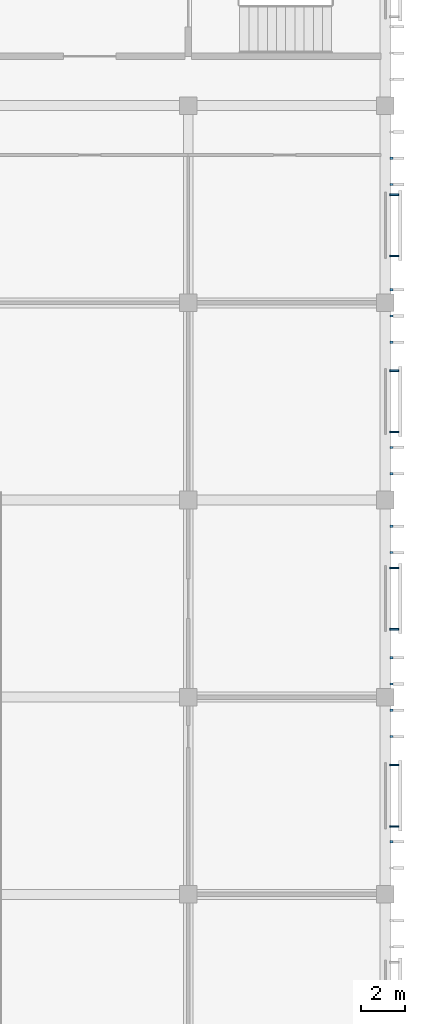
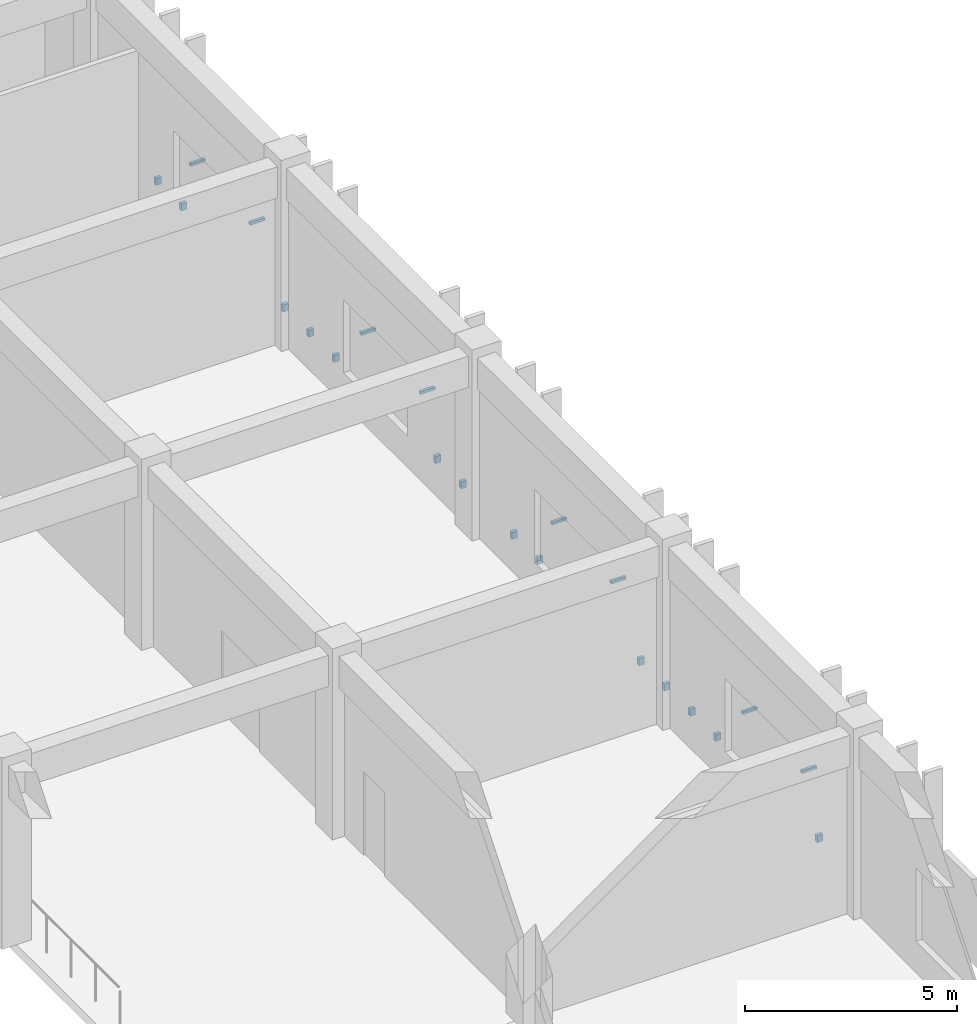
# One storey, part 404 of 437: 22 discrete accessories.
"""IFC4 building model written with IfcOpenShell, lengths in metres."""

from ifc_helpers import new_model, si_unit, direction, frame, origin, origin_2d, place, context, subcontext, project, spatial, rectangle, extrude, material, type_object, element, save


model = new_model("IFC4")

# Units and contexts
model_context = context("Model", 3, precision=1e-05, world=origin(), true_north=direction((0.0, 1.0)))
body_context = subcontext(model_context, "Body", "Model", "MODEL_VIEW")
ifc_project = project(units=[si_unit("LENGTHUNIT", "METRE"), si_unit("AREAUNIT", "SQUARE_METRE"), si_unit("VOLUMEUNIT", "CUBIC_METRE"), si_unit("PLANEANGLEUNIT", "RADIAN"), si_unit("MASSUNIT", "GRAM", prefix="KILO")], contexts=[model_context])

# Site, building, storey
site_placement = place(None, origin())
site = spatial("IfcSite", under=ifc_project, at=site_placement, CompositionType="ELEMENT")
building_placement = place(site_placement, origin())
building = spatial("IfcBuilding", under=site, at=building_placement, Name="Opaline Strait Convention Centre", CompositionType="ELEMENT")
storey_placement = place(building_placement, frame((0.0, 0.0, 11.5)))
storey = spatial("IfcBuildingStorey", under=building, at=storey_placement, Name="L02", CompositionType="ELEMENT", Elevation=11.5)

# Discrete accessories
ifc_material = material(Name="Stainless steel 304", Category="steel")
discrete_accessory_type_1 = type_object("IfcDiscreteAccessoryType", Name="Fin bracket 150 stainless steel", PredefinedType="BRACKET", material=ifc_material)
for number, where, z_axis, x_axis, name in (
    (1, (360.27490234375, 137.39990234375, 0.35009765625), (0.0, 0.0, 1.0), (1.0, 0.0, 0.0), "Fin bracket"),
    (2, (360.27490234375, 142.199951171875, 0.35009765625), (0.0, 0.0, 1.0), (1.0, 0.0, 0.0), "Fin bracket"),
    (3, (360.27490234375, 143.39990234375, 0.35009765625), (0.0, 0.0, 1.0), (1.0, 0.0, 0.0), "Fin bracket"),
    (4, (360.27490234375, 144.60009765625, 0.35009765625), (0.0, 0.0, 1.0), (1.0, 0.0, 0.0), "Fin bracket"),
    (5, (360.27490234375, 145.800048828125, 0.35009765625), (0.0, 0.0, 1.0), (1.0, 0.0, 0.0), "Fin bracket"),
    (6, (360.27490234375, 150.60009765625, 0.35009765625), (0.0, 0.0, 1.0), (1.0, 0.0, 0.0), "Fin bracket"),
    (7, (360.27490234375, 151.800048828125, 0.35009765625), (0.0, 0.0, 1.0), (1.0, 0.0, 0.0), "Fin bracket"),
    (8, (360.27490234375, 154.199951171875, 0.35009765625), (0.0, 0.0, 1.0), (1.0, 0.0, 0.0), "Fin bracket"),
    (9, (360.27490234375, 155.39990234375, 0.35009765625), (0.0, 0.0, 1.0), (1.0, 0.0, 0.0), "Fin bracket"),
    (10, (360.27490234375, 160.199951171875, 0.35009765625), (0.0, 0.0, 1.0), (1.0, 0.0, 0.0), "Fin bracket"),
    (11, (360.27490234375, 161.39990234375, 0.35009765625), (0.0, 0.0, 1.0), (1.0, 0.0, 0.0), "Fin bracket"),
    (12, (360.27490234375, 162.60009765625, 0.35009765625), (0.0, 0.0, 1.0), (1.0, 0.0, 0.0), "Fin bracket"),
    (13, (360.27490234375, 167.39990234375, 0.35009765625), (0.0, 0.0, 1.0), (1.0, 0.0, 0.0), "Fin bracket"),
    (14, (360.27490234375, 168.60009765625, 0.35009765625), (0.0, 0.0, 1.0), (1.0, 0.0, 0.0), "Fin bracket"),
):
    element("IfcDiscreteAccessory", number, at=place(storey_placement, frame(where, z_axis=z_axis, x_axis=x_axis)), inside=storey, type_object=discrete_accessory_type_1, Name=name, PredefinedType="BRACKET", context=body_context, shape_type="SweptSolid", body=[
        extrude(rectangle(XDim=0.14990234375, YDim=0.10009765625, at=origin_2d()), origin(), (0.0, 0.0, 1.0), 0.199951171875),
    ])
discrete_accessory_type_2 = type_object("IfcDiscreteAccessoryType", Name="Louvre bracket 400 stainless steel", PredefinedType="BRACKET", material=ifc_material)
for number, where, z_axis, x_axis, name in (
    (15, (360.39990234375, 138.10009765625, 1.909912109375), (0.0, 0.0, 1.0), (1.0, 0.0, 0.0), "Louvre bracket"),
    (16, (360.39990234375, 140.89990234375, 1.909912109375), (0.0, 0.0, 1.0), (1.0, 0.0, 0.0), "Louvre bracket"),
    (17, (360.39990234375, 147.10009765625, 1.909912109375), (0.0, 0.0, 1.0), (1.0, 0.0, 0.0), "Louvre bracket"),
    (18, (360.39990234375, 149.89990234375, 1.909912109375), (0.0, 0.0, 1.0), (1.0, 0.0, 0.0), "Louvre bracket"),
    (19, (360.39990234375, 156.10009765625, 1.909912109375), (0.0, 0.0, 1.0), (1.0, 0.0, 0.0), "Louvre bracket"),
    (20, (360.39990234375, 158.89990234375, 1.909912109375), (0.0, 0.0, 1.0), (1.0, 0.0, 0.0), "Louvre bracket"),
    (21, (360.39990234375, 164.137451171875, 1.909912109375), (0.0, 0.0, 1.0), (1.0, 0.0, 0.0), "Louvre bracket"),
    (22, (360.39990234375, 166.9375, 1.909912109375), (0.0, 0.0, 1.0), (1.0, 0.0, 0.0), "Louvre bracket"),
):
    element("IfcDiscreteAccessory", number, at=place(storey_placement, frame(where, z_axis=z_axis, x_axis=x_axis)), inside=storey, type_object=discrete_accessory_type_2, Name=name, PredefinedType="BRACKET", context=body_context, shape_type="SweptSolid", body=[
        extrude(rectangle(XDim=0.39990234375, YDim=0.080078125, at=origin_2d()), origin(), (0.0, 0.0, 1.0), 0.080078125),
    ])

save(model, "model.ifc")
